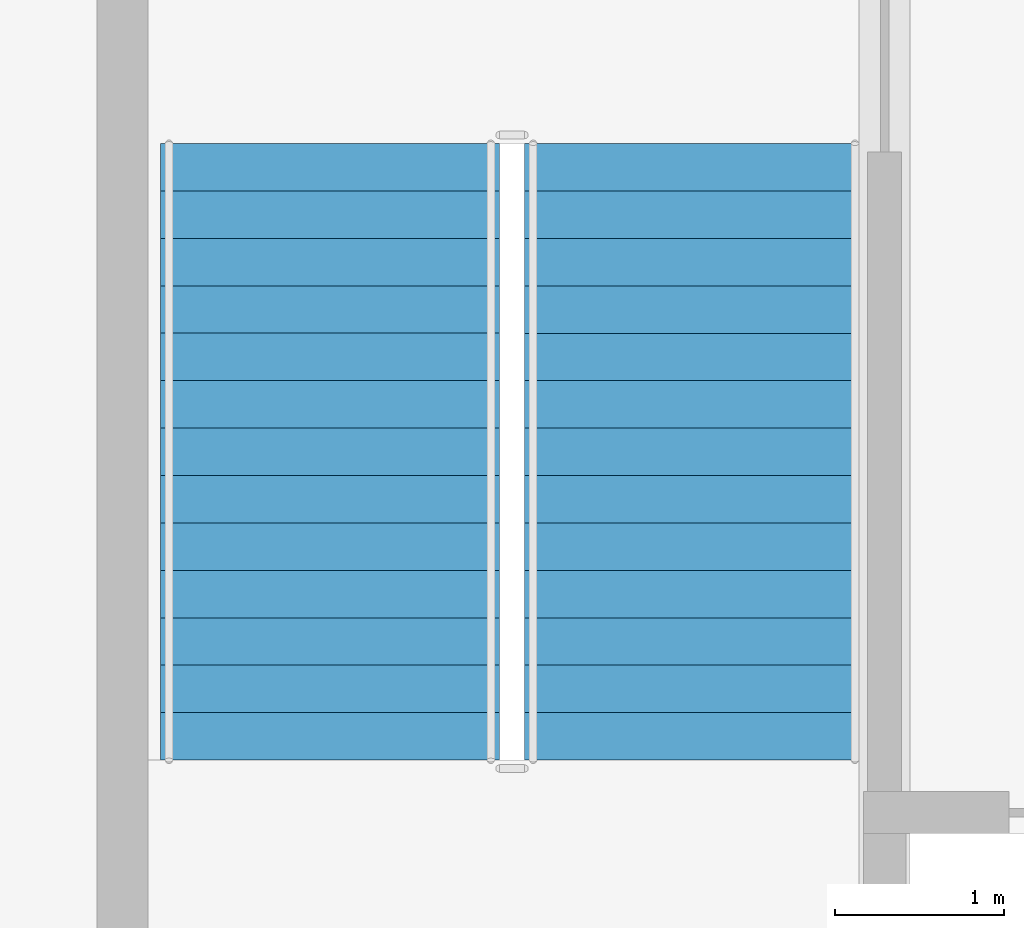
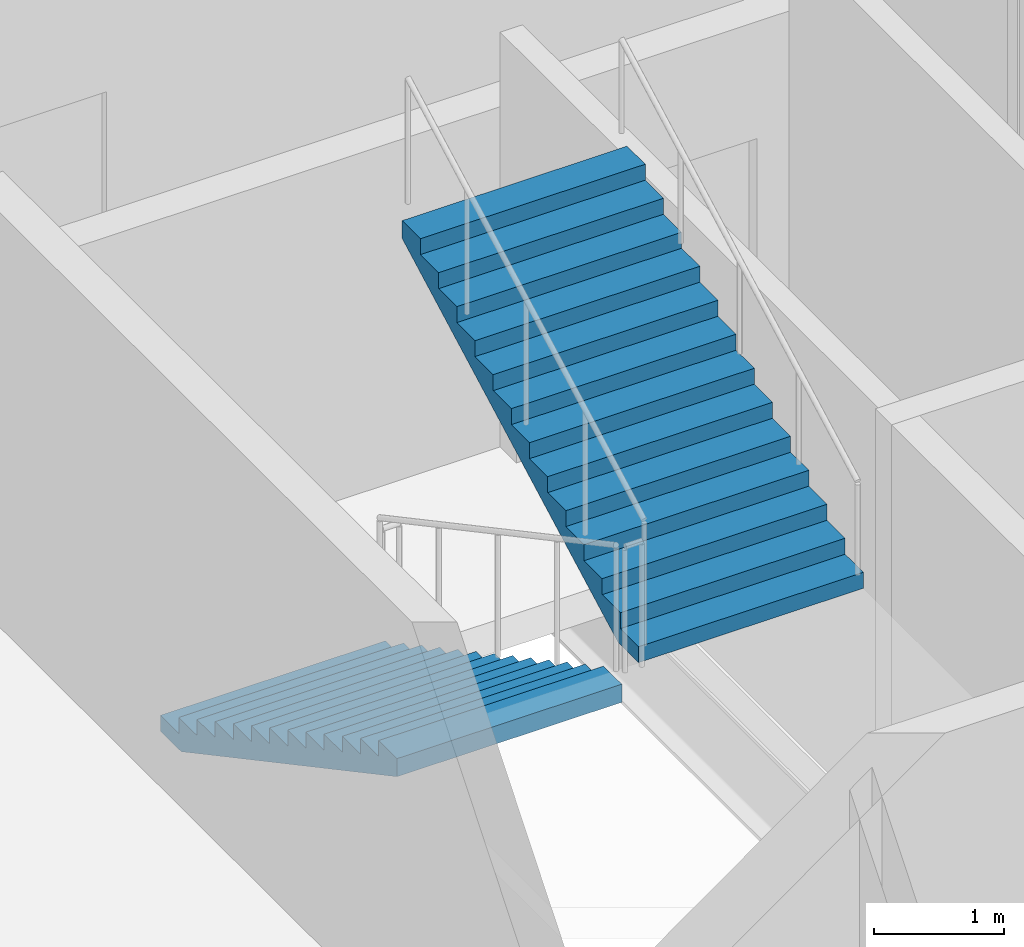
# One storey, part 17 of 23: 2 stair flights, 1 element without a shape of its own.
"""IFC4 building model written with IfcOpenShell, lengths in metres."""

from ifc_helpers import new_model, si_unit, direction, frame, origin, place, context, subcontext, project, spatial, polygons, material, type_object, element, aggregate, save


model = new_model("IFC4")

# Units and contexts
model_context = context("Model", 3, precision=1e-05, world=origin(), true_north=direction((0.0, 1.0)))
body_context = subcontext(model_context, "Body", "Model", "MODEL_VIEW")
ifc_project = project(units=[si_unit("LENGTHUNIT", "METRE"), si_unit("AREAUNIT", "SQUARE_METRE"), si_unit("VOLUMEUNIT", "CUBIC_METRE"), si_unit("PLANEANGLEUNIT", "RADIAN"), si_unit("MASSUNIT", "GRAM", prefix="KILO")], contexts=[model_context])

# Site, building, storey
site_placement = place(None, origin())
site = spatial("IfcSite", under=ifc_project, at=site_placement, CompositionType="ELEMENT")
building_placement = place(site_placement, origin())
building = spatial("IfcBuilding", under=site, at=building_placement, Name="Caravel Reach Hotel and Residences", CompositionType="ELEMENT")
storey_placement = place(building_placement, frame((0.0, 0.0, 312.800048828125)))
storey = spatial("IfcBuildingStorey", under=building, at=storey_placement, Name="L79", CompositionType="ELEMENT", Elevation=312.800048828125)

# Stair, stair flights
ifc_material_1 = material(Name="Concrete C40", Category="concrete")
stair_type = type_object("IfcStairType", Name="Core stair", PredefinedType="HALF_TURN_STAIR", material=ifc_material_1)
stair_placement = place(storey_placement, origin())
stair = element("IfcStair", 1, at=stair_placement, inside=storey, type_object=stair_type, Name="L79 Exit stair A", PredefinedType="HALF_TURN_STAIR")
ifc_material_2 = material(Name="Concrete C40", Category="concrete")
stair_flight_type = type_object("IfcStairFlightType", Name="Core stair flight", PredefinedType="STRAIGHT", material=ifc_material_2)
stair_flight_1_placement = place(storey_placement, frame((19.22509765625, 29.35009765625, 0.0), z_axis=(0.0, 0.0, 1.0), x_axis=(0.0, -1.0, 0.0)))
stair_flight_1 = element("IfcStairFlight", 2, at=stair_flight_1_placement, type_object=stair_flight_type, Name="ST-A flight 1", NumberOfRisers=14, NumberOfTreads=13, PredefinedType="STRAIGHT", RiserHeight=0.15, TreadLength=0.28, context=body_context, shape_type="Tessellation", body=[
    polygons([(0.3174408016601862, 1.0, 0.0), (0.3174408016601862, 0.6666666666666667, 0.0), (0.3174408016601862, 0.33333333333333337, 0.0), (0.3174408016601862, 0.0, 0.0), (0.3174408016601862, -0.33333333333333326, 0.0), (0.3174408016601862, -0.6666666666666667, 0.0), (0.3174408016601862, -1.0, 0.0), (3.6410000000000005, 1.0, 1.7799424276820432), (3.6410000000000005, 0.6666666666666667, 1.7799424276820432), (3.6410000000000005, 0.33333333333333337, 1.7799424276820432), (3.6410000000000005, 0.0, 1.7799424276820432), (3.6410000000000005, -0.33333333333333326, 1.7799424276820432), (3.6410000000000005, -0.6666666666666667, 1.7799424276820432), (3.6410000000000005, -1.0, 1.7799424276820432), (3.6410000000000005, 1.0, 1.95), (3.6410000000000005, 0.6666666666666667, 1.95), (3.6410000000000005, 0.33333333333333337, 1.95), (3.6410000000000005, 0.0, 1.95), (3.6410000000000005, -0.33333333333333326, 1.95), (3.6410000000000005, -0.6666666666666667, 1.95), (3.6410000000000005, -1.0, 1.95), (3.3600000000000003, 1.0, 1.95), (3.3600000000000003, 0.6666666666666667, 1.95), (3.3600000000000003, 0.33333333333333337, 1.95), (3.3600000000000003, 0.0, 1.95), (3.3600000000000003, -0.33333333333333326, 1.95), (3.3600000000000003, -0.6666666666666667, 1.95), (3.3600000000000003, -1.0, 1.95), (3.3600000000000003, 1.0, 1.7999999999999998), (3.3600000000000003, 0.6666666666666667, 1.7999999999999998), (3.3600000000000003, 0.33333333333333337, 1.7999999999999998), (3.3600000000000003, 0.0, 1.7999999999999998), (3.3600000000000003, -0.33333333333333326, 1.7999999999999998), (3.3600000000000003, -0.6666666666666667, 1.7999999999999998), (3.3600000000000003, -1.0, 1.7999999999999998), (3.08, 1.0, 1.7999999999999998), (3.08, 0.6666666666666667, 1.7999999999999998), (3.08, 0.33333333333333337, 1.7999999999999998), (3.08, 0.0, 1.7999999999999998), (3.08, -0.33333333333333326, 1.7999999999999998), (3.08, -0.6666666666666667, 1.7999999999999998), (3.08, -1.0, 1.7999999999999998), (3.08, 1.0, 1.65), (3.08, 0.6666666666666667, 1.65), (3.08, 0.33333333333333337, 1.65), (3.08, 0.0, 1.65), (3.08, -0.33333333333333326, 1.65), (3.08, -0.6666666666666667, 1.65), (3.08, -1.0, 1.65), (2.8000000000000003, 1.0, 1.65), (2.8000000000000003, 0.6666666666666667, 1.65), (2.8000000000000003, 0.33333333333333337, 1.65), (2.8000000000000003, 0.0, 1.65), (2.8000000000000003, -0.33333333333333326, 1.65), (2.8000000000000003, -0.6666666666666667, 1.65), (2.8000000000000003, -1.0, 1.65), (2.8000000000000003, 1.0, 1.5), (2.8000000000000003, 0.6666666666666667, 1.5), (2.8000000000000003, 0.33333333333333337, 1.5), (2.8000000000000003, 0.0, 1.5), (2.8000000000000003, -0.33333333333333326, 1.5), (2.8000000000000003, -0.6666666666666667, 1.5), (2.8000000000000003, -1.0, 1.5), (2.5200000000000005, 1.0, 1.5), (2.5200000000000005, 0.6666666666666667, 1.5), (2.5200000000000005, 0.33333333333333337, 1.5), (2.5200000000000005, 0.0, 1.5), (2.5200000000000005, -0.33333333333333326, 1.5), (2.5200000000000005, -0.6666666666666667, 1.5), (2.5200000000000005, -1.0, 1.5), (2.5200000000000005, 1.0, 1.3499999999999999), (2.5200000000000005, 0.6666666666666667, 1.3499999999999999), (2.5200000000000005, 0.33333333333333337, 1.3499999999999999), (2.5200000000000005, 0.0, 1.3499999999999999), (2.5200000000000005, -0.33333333333333326, 1.3499999999999999), (2.5200000000000005, -0.6666666666666667, 1.3499999999999999), (2.5200000000000005, -1.0, 1.3499999999999999), (2.24, 1.0, 1.3499999999999999), (2.24, 0.6666666666666667, 1.3499999999999999), (2.24, 0.33333333333333337, 1.3499999999999999), (2.24, 0.0, 1.3499999999999999), (2.24, -0.33333333333333326, 1.3499999999999999), (2.24, -0.6666666666666667, 1.3499999999999999), (2.24, -1.0, 1.3499999999999999), (2.24, 1.0, 1.2), (2.24, 0.6666666666666667, 1.2), (2.24, 0.33333333333333337, 1.2), (2.24, 0.0, 1.2), (2.24, -0.33333333333333326, 1.2), (2.24, -0.6666666666666667, 1.2), (2.24, -1.0, 1.2), (1.9600000000000002, 1.0, 1.2), (1.9600000000000002, 0.6666666666666667, 1.2), (1.9600000000000002, 0.33333333333333337, 1.2), (1.9600000000000002, 0.0, 1.2), (1.9600000000000002, -0.33333333333333326, 1.2), (1.9600000000000002, -0.6666666666666667, 1.2), (1.9600000000000002, -1.0, 1.2), (1.9600000000000002, 1.0, 1.05), (1.9600000000000002, 0.6666666666666667, 1.05), (1.9600000000000002, 0.33333333333333337, 1.05), (1.9600000000000002, 0.0, 1.05), (1.9600000000000002, -0.33333333333333326, 1.05), (1.9600000000000002, -0.6666666666666667, 1.05), (1.9600000000000002, -1.0, 1.05), (1.6800000000000002, 1.0, 1.05), (1.6800000000000002, 0.6666666666666667, 1.05), (1.6800000000000002, 0.33333333333333337, 1.05), (1.6800000000000002, 0.0, 1.05), (1.6800000000000002, -0.33333333333333326, 1.05), (1.6800000000000002, -0.6666666666666667, 1.05), (1.6800000000000002, -1.0, 1.05), (1.6800000000000002, 1.0, 0.8999999999999999), (1.6800000000000002, 0.6666666666666667, 0.8999999999999999), (1.6800000000000002, 0.33333333333333337, 0.8999999999999999), (1.6800000000000002, 0.0, 0.8999999999999999), (1.6800000000000002, -0.33333333333333326, 0.8999999999999999), (1.6800000000000002, -0.6666666666666667, 0.8999999999999999), (1.6800000000000002, -1.0, 0.8999999999999999), (1.4000000000000001, 1.0, 0.8999999999999999), (1.4000000000000001, 0.6666666666666667, 0.8999999999999999), (1.4000000000000001, 0.33333333333333337, 0.8999999999999999), (1.4000000000000001, 0.0, 0.8999999999999999), (1.4000000000000001, -0.33333333333333326, 0.8999999999999999), (1.4000000000000001, -0.6666666666666667, 0.8999999999999999), (1.4000000000000001, -1.0, 0.8999999999999999), (1.4000000000000001, 1.0, 0.75), (1.4000000000000001, 0.6666666666666667, 0.75), (1.4000000000000001, 0.33333333333333337, 0.75), (1.4000000000000001, 0.0, 0.75), (1.4000000000000001, -0.33333333333333326, 0.75), (1.4000000000000001, -0.6666666666666667, 0.75), (1.4000000000000001, -1.0, 0.75), (1.12, 1.0, 0.75), (1.12, 0.6666666666666667, 0.75), (1.12, 0.33333333333333337, 0.75), (1.12, 0.0, 0.75), (1.12, -0.33333333333333326, 0.75), (1.12, -0.6666666666666667, 0.75), (1.12, -1.0, 0.75), (1.12, 1.0, 0.6), (1.12, 0.6666666666666667, 0.6), (1.12, 0.33333333333333337, 0.6), (1.12, 0.0, 0.6), (1.12, -0.33333333333333326, 0.6), (1.12, -0.6666666666666667, 0.6), (1.12, -1.0, 0.6), (0.8400000000000001, 1.0, 0.6), (0.8400000000000001, 0.6666666666666667, 0.6), (0.8400000000000001, 0.33333333333333337, 0.6), (0.8400000000000001, 0.0, 0.6), (0.8400000000000001, -0.33333333333333326, 0.6), (0.8400000000000001, -0.6666666666666667, 0.6), (0.8400000000000001, -1.0, 0.6), (0.8400000000000001, 1.0, 0.44999999999999996), (0.8400000000000001, 0.6666666666666667, 0.44999999999999996), (0.8400000000000001, 0.33333333333333337, 0.44999999999999996), (0.8400000000000001, 0.0, 0.44999999999999996), (0.8400000000000001, -0.33333333333333326, 0.44999999999999996), (0.8400000000000001, -0.6666666666666667, 0.44999999999999996), (0.8400000000000001, -1.0, 0.44999999999999996), (0.56, 1.0, 0.44999999999999996), (0.56, 0.6666666666666667, 0.44999999999999996), (0.56, 0.33333333333333337, 0.44999999999999996), (0.56, 0.0, 0.44999999999999996), (0.56, -0.33333333333333326, 0.44999999999999996), (0.56, -0.6666666666666667, 0.44999999999999996), (0.56, -1.0, 0.44999999999999996), (0.56, 1.0, 0.3), (0.56, 0.6666666666666667, 0.3), (0.56, 0.33333333333333337, 0.3), (0.56, 0.0, 0.3), (0.56, -0.33333333333333326, 0.3), (0.56, -0.6666666666666667, 0.3), (0.56, -1.0, 0.3), (0.28, 1.0, 0.3), (0.28, 0.6666666666666667, 0.3), (0.28, 0.33333333333333337, 0.3), (0.28, 0.0, 0.3), (0.28, -0.33333333333333326, 0.3), (0.28, -0.6666666666666667, 0.3), (0.28, -1.0, 0.3), (0.28, 1.0, 0.15), (0.28, 0.6666666666666667, 0.15), (0.28, 0.33333333333333337, 0.15), (0.28, 0.0, 0.15), (0.28, -0.33333333333333326, 0.15), (0.28, -0.6666666666666667, 0.15), (0.28, -1.0, 0.15), (-0.001, 1.0, 0.15), (-0.001, 0.6666666666666667, 0.15), (-0.001, 0.33333333333333337, 0.15), (-0.001, 0.0, 0.15), (-0.001, -0.33333333333333326, 0.15), (-0.001, -0.6666666666666667, 0.15), (-0.001, -1.0, 0.15), (-0.001, 1.0, 0.0), (-0.001, 0.6666666666666667, 0.0), (-0.001, 0.33333333333333337, 0.0), (-0.001, 0.0, 0.0), (-0.001, -0.33333333333333326, 0.0), (-0.001, -0.6666666666666667, 0.0), (-0.001, -1.0, 0.0)], [[[197, 190, 183, 176, 169, 162, 155, 148, 141, 134, 127, 120, 113, 106, 99, 92, 85, 78, 71, 64, 57, 50, 43, 36, 29, 22, 15, 8, 1]], [[7, 14, 21, 28, 35, 42, 49, 56, 63, 70, 77, 84, 91, 98, 105, 112, 119, 126, 133, 140, 147, 154, 161, 168, 175, 182, 189, 196, 203]], [[1, 8, 9, 2]], [[2, 9, 10, 3]], [[3, 10, 11, 4]], [[4, 11, 12, 5]], [[5, 12, 13, 6]], [[6, 13, 14, 7]], [[8, 15, 16, 9]], [[9, 16, 17, 10]], [[10, 17, 18, 11]], [[11, 18, 19, 12]], [[12, 19, 20, 13]], [[13, 20, 21, 14]], [[15, 22, 23, 16]], [[16, 23, 24, 17]], [[17, 24, 25, 18]], [[18, 25, 26, 19]], [[19, 26, 27, 20]], [[20, 27, 28, 21]], [[22, 29, 30, 23]], [[23, 30, 31, 24]], [[24, 31, 32, 25]], [[25, 32, 33, 26]], [[26, 33, 34, 27]], [[27, 34, 35, 28]], [[29, 36, 37, 30]], [[30, 37, 38, 31]], [[31, 38, 39, 32]], [[32, 39, 40, 33]], [[33, 40, 41, 34]], [[34, 41, 42, 35]], [[36, 43, 44, 37]], [[37, 44, 45, 38]], [[38, 45, 46, 39]], [[39, 46, 47, 40]], [[40, 47, 48, 41]], [[41, 48, 49, 42]], [[43, 50, 51, 44]], [[44, 51, 52, 45]], [[45, 52, 53, 46]], [[46, 53, 54, 47]], [[47, 54, 55, 48]], [[48, 55, 56, 49]], [[50, 57, 58, 51]], [[51, 58, 59, 52]], [[52, 59, 60, 53]], [[53, 60, 61, 54]], [[54, 61, 62, 55]], [[55, 62, 63, 56]], [[57, 64, 65, 58]], [[58, 65, 66, 59]], [[59, 66, 67, 60]], [[60, 67, 68, 61]], [[61, 68, 69, 62]], [[62, 69, 70, 63]], [[64, 71, 72, 65]], [[65, 72, 73, 66]], [[66, 73, 74, 67]], [[67, 74, 75, 68]], [[68, 75, 76, 69]], [[69, 76, 77, 70]], [[71, 78, 79, 72]], [[72, 79, 80, 73]], [[73, 80, 81, 74]], [[74, 81, 82, 75]], [[75, 82, 83, 76]], [[76, 83, 84, 77]], [[78, 85, 86, 79]], [[79, 86, 87, 80]], [[80, 87, 88, 81]], [[81, 88, 89, 82]], [[82, 89, 90, 83]], [[83, 90, 91, 84]], [[85, 92, 93, 86]], [[86, 93, 94, 87]], [[87, 94, 95, 88]], [[88, 95, 96, 89]], [[89, 96, 97, 90]], [[90, 97, 98, 91]], [[92, 99, 100, 93]], [[93, 100, 101, 94]], [[94, 101, 102, 95]], [[95, 102, 103, 96]], [[96, 103, 104, 97]], [[97, 104, 105, 98]], [[99, 106, 107, 100]], [[100, 107, 108, 101]], [[101, 108, 109, 102]], [[102, 109, 110, 103]], [[103, 110, 111, 104]], [[104, 111, 112, 105]], [[106, 113, 114, 107]], [[107, 114, 115, 108]], [[108, 115, 116, 109]], [[109, 116, 117, 110]], [[110, 117, 118, 111]], [[111, 118, 119, 112]], [[113, 120, 121, 114]], [[114, 121, 122, 115]], [[115, 122, 123, 116]], [[116, 123, 124, 117]], [[117, 124, 125, 118]], [[118, 125, 126, 119]], [[120, 127, 128, 121]], [[121, 128, 129, 122]], [[122, 129, 130, 123]], [[123, 130, 131, 124]], [[124, 131, 132, 125]], [[125, 132, 133, 126]], [[127, 134, 135, 128]], [[128, 135, 136, 129]], [[129, 136, 137, 130]], [[130, 137, 138, 131]], [[131, 138, 139, 132]], [[132, 139, 140, 133]], [[134, 141, 142, 135]], [[135, 142, 143, 136]], [[136, 143, 144, 137]], [[137, 144, 145, 138]], [[138, 145, 146, 139]], [[139, 146, 147, 140]], [[141, 148, 149, 142]], [[142, 149, 150, 143]], [[143, 150, 151, 144]], [[144, 151, 152, 145]], [[145, 152, 153, 146]], [[146, 153, 154, 147]], [[148, 155, 156, 149]], [[149, 156, 157, 150]], [[150, 157, 158, 151]], [[151, 158, 159, 152]], [[152, 159, 160, 153]], [[153, 160, 161, 154]], [[155, 162, 163, 156]], [[156, 163, 164, 157]], [[157, 164, 165, 158]], [[158, 165, 166, 159]], [[159, 166, 167, 160]], [[160, 167, 168, 161]], [[162, 169, 170, 163]], [[163, 170, 171, 164]], [[164, 171, 172, 165]], [[165, 172, 173, 166]], [[166, 173, 174, 167]], [[167, 174, 175, 168]], [[169, 176, 177, 170]], [[170, 177, 178, 171]], [[171, 178, 179, 172]], [[172, 179, 180, 173]], [[173, 180, 181, 174]], [[174, 181, 182, 175]], [[176, 183, 184, 177]], [[177, 184, 185, 178]], [[178, 185, 186, 179]], [[179, 186, 187, 180]], [[180, 187, 188, 181]], [[181, 188, 189, 182]], [[183, 190, 191, 184]], [[184, 191, 192, 185]], [[185, 192, 193, 186]], [[186, 193, 194, 187]], [[187, 194, 195, 188]], [[188, 195, 196, 189]], [[190, 197, 198, 191]], [[191, 198, 199, 192]], [[192, 199, 200, 193]], [[193, 200, 201, 194]], [[194, 201, 202, 195]], [[195, 202, 203, 196]], [[197, 1, 2, 198]], [[198, 2, 3, 199]], [[199, 3, 4, 200]], [[200, 4, 5, 201]], [[201, 5, 6, 202]], [[202, 6, 7, 203]]], closed=True),
])
stair_flight_2_placement = place(storey_placement, frame((21.375, 25.7099609375, 2.099853515625), z_axis=(0.0, 0.0, 1.0), x_axis=(0.0, 1.0, 0.0)))
stair_flight_2 = element("IfcStairFlight", 3, at=stair_flight_2_placement, type_object=stair_flight_type, Name="ST-A flight 2", NumberOfRisers=14, NumberOfTreads=13, PredefinedType="STRAIGHT", RiserHeight=0.15, TreadLength=0.28, context=body_context, shape_type="Tessellation", body=[
    polygons([(0.3174408016601862, 1.0, 0.0), (0.3174408016601862, 0.6666666666666667, 0.0), (0.3174408016601862, 0.33333333333333337, 0.0), (0.3174408016601862, 0.0, 0.0), (0.3174408016601862, -0.33333333333333326, 0.0), (0.3174408016601862, -0.6666666666666667, 0.0), (0.3174408016601862, -1.0, 0.0), (3.6410000000000005, 1.0, 1.7799424276820432), (3.6410000000000005, 0.6666666666666667, 1.7799424276820432), (3.6410000000000005, 0.33333333333333337, 1.7799424276820432), (3.6410000000000005, 0.0, 1.7799424276820432), (3.6410000000000005, -0.33333333333333326, 1.7799424276820432), (3.6410000000000005, -0.6666666666666667, 1.7799424276820432), (3.6410000000000005, -1.0, 1.7799424276820432), (3.6410000000000005, 1.0, 1.95), (3.6410000000000005, 0.6666666666666667, 1.95), (3.6410000000000005, 0.33333333333333337, 1.95), (3.6410000000000005, 0.0, 1.95), (3.6410000000000005, -0.33333333333333326, 1.95), (3.6410000000000005, -0.6666666666666667, 1.95), (3.6410000000000005, -1.0, 1.95), (3.3600000000000003, 1.0, 1.95), (3.3600000000000003, 0.6666666666666667, 1.95), (3.3600000000000003, 0.33333333333333337, 1.95), (3.3600000000000003, 0.0, 1.95), (3.3600000000000003, -0.33333333333333326, 1.95), (3.3600000000000003, -0.6666666666666667, 1.95), (3.3600000000000003, -1.0, 1.95), (3.3600000000000003, 1.0, 1.7999999999999998), (3.3600000000000003, 0.6666666666666667, 1.7999999999999998), (3.3600000000000003, 0.33333333333333337, 1.7999999999999998), (3.3600000000000003, 0.0, 1.7999999999999998), (3.3600000000000003, -0.33333333333333326, 1.7999999999999998), (3.3600000000000003, -0.6666666666666667, 1.7999999999999998), (3.3600000000000003, -1.0, 1.7999999999999998), (3.08, 1.0, 1.7999999999999998), (3.08, 0.6666666666666667, 1.7999999999999998), (3.08, 0.33333333333333337, 1.7999999999999998), (3.08, 0.0, 1.7999999999999998), (3.08, -0.33333333333333326, 1.7999999999999998), (3.08, -0.6666666666666667, 1.7999999999999998), (3.08, -1.0, 1.7999999999999998), (3.08, 1.0, 1.65), (3.08, 0.6666666666666667, 1.65), (3.08, 0.33333333333333337, 1.65), (3.08, 0.0, 1.65), (3.08, -0.33333333333333326, 1.65), (3.08, -0.6666666666666667, 1.65), (3.08, -1.0, 1.65), (2.8000000000000003, 1.0, 1.65), (2.8000000000000003, 0.6666666666666667, 1.65), (2.8000000000000003, 0.33333333333333337, 1.65), (2.8000000000000003, 0.0, 1.65), (2.8000000000000003, -0.33333333333333326, 1.65), (2.8000000000000003, -0.6666666666666667, 1.65), (2.8000000000000003, -1.0, 1.65), (2.8000000000000003, 1.0, 1.5), (2.8000000000000003, 0.6666666666666667, 1.5), (2.8000000000000003, 0.33333333333333337, 1.5), (2.8000000000000003, 0.0, 1.5), (2.8000000000000003, -0.33333333333333326, 1.5), (2.8000000000000003, -0.6666666666666667, 1.5), (2.8000000000000003, -1.0, 1.5), (2.5200000000000005, 1.0, 1.5), (2.5200000000000005, 0.6666666666666667, 1.5), (2.5200000000000005, 0.33333333333333337, 1.5), (2.5200000000000005, 0.0, 1.5), (2.5200000000000005, -0.33333333333333326, 1.5), (2.5200000000000005, -0.6666666666666667, 1.5), (2.5200000000000005, -1.0, 1.5), (2.5200000000000005, 1.0, 1.3499999999999999), (2.5200000000000005, 0.6666666666666667, 1.3499999999999999), (2.5200000000000005, 0.33333333333333337, 1.3499999999999999), (2.5200000000000005, 0.0, 1.3499999999999999), (2.5200000000000005, -0.33333333333333326, 1.3499999999999999), (2.5200000000000005, -0.6666666666666667, 1.3499999999999999), (2.5200000000000005, -1.0, 1.3499999999999999), (2.24, 1.0, 1.3499999999999999), (2.24, 0.6666666666666667, 1.3499999999999999), (2.24, 0.33333333333333337, 1.3499999999999999), (2.24, 0.0, 1.3499999999999999), (2.24, -0.33333333333333326, 1.3499999999999999), (2.24, -0.6666666666666667, 1.3499999999999999), (2.24, -1.0, 1.3499999999999999), (2.24, 1.0, 1.2), (2.24, 0.6666666666666667, 1.2), (2.24, 0.33333333333333337, 1.2), (2.24, 0.0, 1.2), (2.24, -0.33333333333333326, 1.2), (2.24, -0.6666666666666667, 1.2), (2.24, -1.0, 1.2), (1.9600000000000002, 1.0, 1.2), (1.9600000000000002, 0.6666666666666667, 1.2), (1.9600000000000002, 0.33333333333333337, 1.2), (1.9600000000000002, 0.0, 1.2), (1.9600000000000002, -0.33333333333333326, 1.2), (1.9600000000000002, -0.6666666666666667, 1.2), (1.9600000000000002, -1.0, 1.2), (1.9600000000000002, 1.0, 1.05), (1.9600000000000002, 0.6666666666666667, 1.05), (1.9600000000000002, 0.33333333333333337, 1.05), (1.9600000000000002, 0.0, 1.05), (1.9600000000000002, -0.33333333333333326, 1.05), (1.9600000000000002, -0.6666666666666667, 1.05), (1.9600000000000002, -1.0, 1.05), (1.6800000000000002, 1.0, 1.05), (1.6800000000000002, 0.6666666666666667, 1.05), (1.6800000000000002, 0.33333333333333337, 1.05), (1.6800000000000002, 0.0, 1.05), (1.6800000000000002, -0.33333333333333326, 1.05), (1.6800000000000002, -0.6666666666666667, 1.05), (1.6800000000000002, -1.0, 1.05), (1.6800000000000002, 1.0, 0.8999999999999999), (1.6800000000000002, 0.6666666666666667, 0.8999999999999999), (1.6800000000000002, 0.33333333333333337, 0.8999999999999999), (1.6800000000000002, 0.0, 0.8999999999999999), (1.6800000000000002, -0.33333333333333326, 0.8999999999999999), (1.6800000000000002, -0.6666666666666667, 0.8999999999999999), (1.6800000000000002, -1.0, 0.8999999999999999), (1.4000000000000001, 1.0, 0.8999999999999999), (1.4000000000000001, 0.6666666666666667, 0.8999999999999999), (1.4000000000000001, 0.33333333333333337, 0.8999999999999999), (1.4000000000000001, 0.0, 0.8999999999999999), (1.4000000000000001, -0.33333333333333326, 0.8999999999999999), (1.4000000000000001, -0.6666666666666667, 0.8999999999999999), (1.4000000000000001, -1.0, 0.8999999999999999), (1.4000000000000001, 1.0, 0.75), (1.4000000000000001, 0.6666666666666667, 0.75), (1.4000000000000001, 0.33333333333333337, 0.75), (1.4000000000000001, 0.0, 0.75), (1.4000000000000001, -0.33333333333333326, 0.75), (1.4000000000000001, -0.6666666666666667, 0.75), (1.4000000000000001, -1.0, 0.75), (1.12, 1.0, 0.75), (1.12, 0.6666666666666667, 0.75), (1.12, 0.33333333333333337, 0.75), (1.12, 0.0, 0.75), (1.12, -0.33333333333333326, 0.75), (1.12, -0.6666666666666667, 0.75), (1.12, -1.0, 0.75), (1.12, 1.0, 0.6), (1.12, 0.6666666666666667, 0.6), (1.12, 0.33333333333333337, 0.6), (1.12, 0.0, 0.6), (1.12, -0.33333333333333326, 0.6), (1.12, -0.6666666666666667, 0.6), (1.12, -1.0, 0.6), (0.8400000000000001, 1.0, 0.6), (0.8400000000000001, 0.6666666666666667, 0.6), (0.8400000000000001, 0.33333333333333337, 0.6), (0.8400000000000001, 0.0, 0.6), (0.8400000000000001, -0.33333333333333326, 0.6), (0.8400000000000001, -0.6666666666666667, 0.6), (0.8400000000000001, -1.0, 0.6), (0.8400000000000001, 1.0, 0.44999999999999996), (0.8400000000000001, 0.6666666666666667, 0.44999999999999996), (0.8400000000000001, 0.33333333333333337, 0.44999999999999996), (0.8400000000000001, 0.0, 0.44999999999999996), (0.8400000000000001, -0.33333333333333326, 0.44999999999999996), (0.8400000000000001, -0.6666666666666667, 0.44999999999999996), (0.8400000000000001, -1.0, 0.44999999999999996), (0.56, 1.0, 0.44999999999999996), (0.56, 0.6666666666666667, 0.44999999999999996), (0.56, 0.33333333333333337, 0.44999999999999996), (0.56, 0.0, 0.44999999999999996), (0.56, -0.33333333333333326, 0.44999999999999996), (0.56, -0.6666666666666667, 0.44999999999999996), (0.56, -1.0, 0.44999999999999996), (0.56, 1.0, 0.3), (0.56, 0.6666666666666667, 0.3), (0.56, 0.33333333333333337, 0.3), (0.56, 0.0, 0.3), (0.56, -0.33333333333333326, 0.3), (0.56, -0.6666666666666667, 0.3), (0.56, -1.0, 0.3), (0.28, 1.0, 0.3), (0.28, 0.6666666666666667, 0.3), (0.28, 0.33333333333333337, 0.3), (0.28, 0.0, 0.3), (0.28, -0.33333333333333326, 0.3), (0.28, -0.6666666666666667, 0.3), (0.28, -1.0, 0.3), (0.28, 1.0, 0.15), (0.28, 0.6666666666666667, 0.15), (0.28, 0.33333333333333337, 0.15), (0.28, 0.0, 0.15), (0.28, -0.33333333333333326, 0.15), (0.28, -0.6666666666666667, 0.15), (0.28, -1.0, 0.15), (-0.001, 1.0, 0.15), (-0.001, 0.6666666666666667, 0.15), (-0.001, 0.33333333333333337, 0.15), (-0.001, 0.0, 0.15), (-0.001, -0.33333333333333326, 0.15), (-0.001, -0.6666666666666667, 0.15), (-0.001, -1.0, 0.15), (-0.001, 1.0, 0.0), (-0.001, 0.6666666666666667, 0.0), (-0.001, 0.33333333333333337, 0.0), (-0.001, 0.0, 0.0), (-0.001, -0.33333333333333326, 0.0), (-0.001, -0.6666666666666667, 0.0), (-0.001, -1.0, 0.0)], [[[197, 190, 183, 176, 169, 162, 155, 148, 141, 134, 127, 120, 113, 106, 99, 92, 85, 78, 71, 64, 57, 50, 43, 36, 29, 22, 15, 8, 1]], [[7, 14, 21, 28, 35, 42, 49, 56, 63, 70, 77, 84, 91, 98, 105, 112, 119, 126, 133, 140, 147, 154, 161, 168, 175, 182, 189, 196, 203]], [[1, 8, 9, 2]], [[2, 9, 10, 3]], [[3, 10, 11, 4]], [[4, 11, 12, 5]], [[5, 12, 13, 6]], [[6, 13, 14, 7]], [[8, 15, 16, 9]], [[9, 16, 17, 10]], [[10, 17, 18, 11]], [[11, 18, 19, 12]], [[12, 19, 20, 13]], [[13, 20, 21, 14]], [[15, 22, 23, 16]], [[16, 23, 24, 17]], [[17, 24, 25, 18]], [[18, 25, 26, 19]], [[19, 26, 27, 20]], [[20, 27, 28, 21]], [[22, 29, 30, 23]], [[23, 30, 31, 24]], [[24, 31, 32, 25]], [[25, 32, 33, 26]], [[26, 33, 34, 27]], [[27, 34, 35, 28]], [[29, 36, 37, 30]], [[30, 37, 38, 31]], [[31, 38, 39, 32]], [[32, 39, 40, 33]], [[33, 40, 41, 34]], [[34, 41, 42, 35]], [[36, 43, 44, 37]], [[37, 44, 45, 38]], [[38, 45, 46, 39]], [[39, 46, 47, 40]], [[40, 47, 48, 41]], [[41, 48, 49, 42]], [[43, 50, 51, 44]], [[44, 51, 52, 45]], [[45, 52, 53, 46]], [[46, 53, 54, 47]], [[47, 54, 55, 48]], [[48, 55, 56, 49]], [[50, 57, 58, 51]], [[51, 58, 59, 52]], [[52, 59, 60, 53]], [[53, 60, 61, 54]], [[54, 61, 62, 55]], [[55, 62, 63, 56]], [[57, 64, 65, 58]], [[58, 65, 66, 59]], [[59, 66, 67, 60]], [[60, 67, 68, 61]], [[61, 68, 69, 62]], [[62, 69, 70, 63]], [[64, 71, 72, 65]], [[65, 72, 73, 66]], [[66, 73, 74, 67]], [[67, 74, 75, 68]], [[68, 75, 76, 69]], [[69, 76, 77, 70]], [[71, 78, 79, 72]], [[72, 79, 80, 73]], [[73, 80, 81, 74]], [[74, 81, 82, 75]], [[75, 82, 83, 76]], [[76, 83, 84, 77]], [[78, 85, 86, 79]], [[79, 86, 87, 80]], [[80, 87, 88, 81]], [[81, 88, 89, 82]], [[82, 89, 90, 83]], [[83, 90, 91, 84]], [[85, 92, 93, 86]], [[86, 93, 94, 87]], [[87, 94, 95, 88]], [[88, 95, 96, 89]], [[89, 96, 97, 90]], [[90, 97, 98, 91]], [[92, 99, 100, 93]], [[93, 100, 101, 94]], [[94, 101, 102, 95]], [[95, 102, 103, 96]], [[96, 103, 104, 97]], [[97, 104, 105, 98]], [[99, 106, 107, 100]], [[100, 107, 108, 101]], [[101, 108, 109, 102]], [[102, 109, 110, 103]], [[103, 110, 111, 104]], [[104, 111, 112, 105]], [[106, 113, 114, 107]], [[107, 114, 115, 108]], [[108, 115, 116, 109]], [[109, 116, 117, 110]], [[110, 117, 118, 111]], [[111, 118, 119, 112]], [[113, 120, 121, 114]], [[114, 121, 122, 115]], [[115, 122, 123, 116]], [[116, 123, 124, 117]], [[117, 124, 125, 118]], [[118, 125, 126, 119]], [[120, 127, 128, 121]], [[121, 128, 129, 122]], [[122, 129, 130, 123]], [[123, 130, 131, 124]], [[124, 131, 132, 125]], [[125, 132, 133, 126]], [[127, 134, 135, 128]], [[128, 135, 136, 129]], [[129, 136, 137, 130]], [[130, 137, 138, 131]], [[131, 138, 139, 132]], [[132, 139, 140, 133]], [[134, 141, 142, 135]], [[135, 142, 143, 136]], [[136, 143, 144, 137]], [[137, 144, 145, 138]], [[138, 145, 146, 139]], [[139, 146, 147, 140]], [[141, 148, 149, 142]], [[142, 149, 150, 143]], [[143, 150, 151, 144]], [[144, 151, 152, 145]], [[145, 152, 153, 146]], [[146, 153, 154, 147]], [[148, 155, 156, 149]], [[149, 156, 157, 150]], [[150, 157, 158, 151]], [[151, 158, 159, 152]], [[152, 159, 160, 153]], [[153, 160, 161, 154]], [[155, 162, 163, 156]], [[156, 163, 164, 157]], [[157, 164, 165, 158]], [[158, 165, 166, 159]], [[159, 166, 167, 160]], [[160, 167, 168, 161]], [[162, 169, 170, 163]], [[163, 170, 171, 164]], [[164, 171, 172, 165]], [[165, 172, 173, 166]], [[166, 173, 174, 167]], [[167, 174, 175, 168]], [[169, 176, 177, 170]], [[170, 177, 178, 171]], [[171, 178, 179, 172]], [[172, 179, 180, 173]], [[173, 180, 181, 174]], [[174, 181, 182, 175]], [[176, 183, 184, 177]], [[177, 184, 185, 178]], [[178, 185, 186, 179]], [[179, 186, 187, 180]], [[180, 187, 188, 181]], [[181, 188, 189, 182]], [[183, 190, 191, 184]], [[184, 191, 192, 185]], [[185, 192, 193, 186]], [[186, 193, 194, 187]], [[187, 194, 195, 188]], [[188, 195, 196, 189]], [[190, 197, 198, 191]], [[191, 198, 199, 192]], [[192, 199, 200, 193]], [[193, 200, 201, 194]], [[194, 201, 202, 195]], [[195, 202, 203, 196]], [[197, 1, 2, 198]], [[198, 2, 3, 199]], [[199, 3, 4, 200]], [[200, 4, 5, 201]], [[201, 5, 6, 202]], [[202, 6, 7, 203]]], closed=True),
])
aggregate(stair, [stair_flight_1, stair_flight_2])

save(model, "model.ifc")
